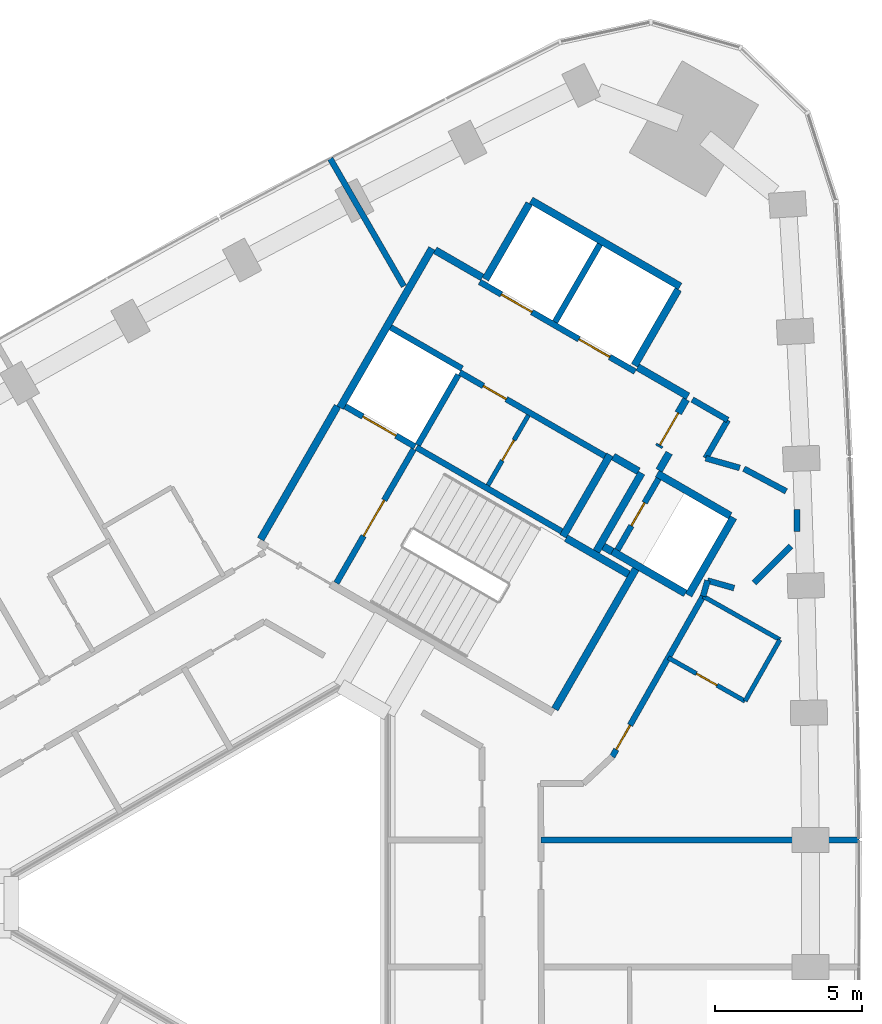
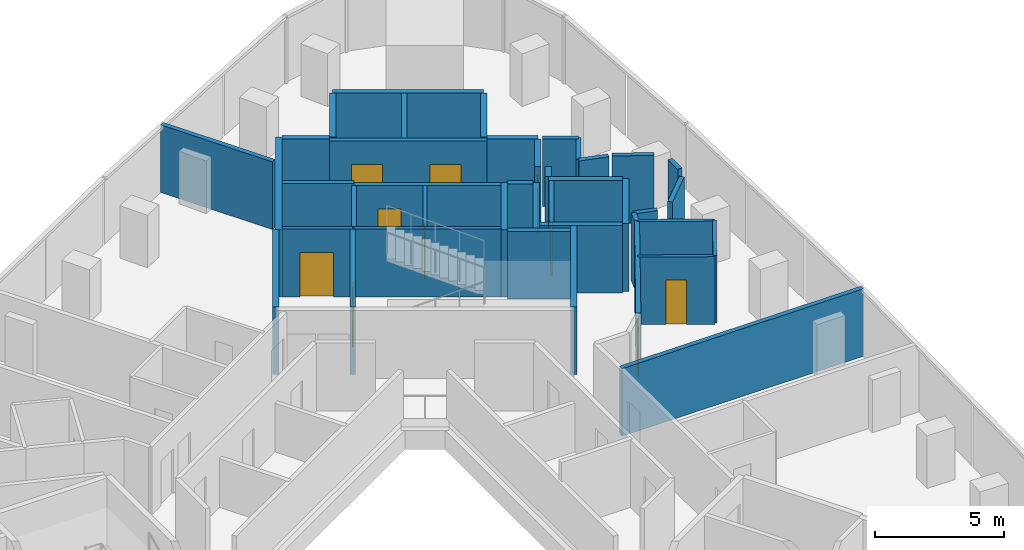
# One storey, part 11 of 13: 42 walls, 10 doors, 10 openings.
"""IFC4 building model written with IfcOpenShell, lengths in metres."""

import ifcopenshell
import ifcopenshell.guid

model = None  # the IFC model being written
_history = None  # IfcOwnerHistory: only IFC2X3 demands one
_inside = {}  # id of a spatial element -> (the spatial element, [elements in it])
_under = {}  # id of a project, library or spatial element -> (it, [spatial elements below it])
_declared = {}  # id of a project -> (the project, [libraries it declares])
_typed = {}  # id of a type object -> (the type object, [elements of that type])
_made_of = {}  # id of a material, layer set ... -> (it, [elements and type objects made of it])


def new_model(schema):
    """Start an empty IFC model of exactly this schema.

    Asked for "IFC4X3", IfcOpenShell would pick the latest addendum, in which some entities
    have other attributes; the version numbers below select the first issue.
    IFC2X3 requires an IfcOwnerHistory on every rooted entity: one is made here for all.
    """
    global model, _history
    if schema == "IFC4X3":
        model = ifcopenshell.file(schema_version=(4, 3, 0, 0))
    else:
        model = ifcopenshell.file(schema=schema)
    _inside.clear()
    _under.clear()
    _declared.clear()
    _typed.clear()
    _made_of.clear()
    _history = None
    if model.schema == "IFC2X3":
        org = make("IfcOrganization", Name="unknown")
        user = make(
            "IfcPersonAndOrganization",
            ThePerson=make("IfcPerson", FamilyName="unknown"),
            TheOrganization=org,
        )
        app = make(
            "IfcApplication",
            ApplicationDeveloper=org,
            Version="unknown",
            ApplicationFullName="unknown",
            ApplicationIdentifier="unknown",
        )
        _history = make(
            "IfcOwnerHistory",
            OwningUser=user,
            OwningApplication=app,
            ChangeAction="ADDED",
            CreationDate=0,
        )
    return model


def make(cls, **values):
    """One entity of the class cls with the attributes given. An attribute that is None is left unset."""
    return model.create_entity(
        cls, **{name: value for name, value in values.items() if value is not None}
    )


def rooted(cls, **values):
    """An entity with a GlobalId (a new one), such as an element, a storey or a relation."""
    return make(cls, GlobalId=ifcopenshell.guid.new(), OwnerHistory=_history, **values)


def si_unit(unit_type, name, prefix=None):
    """IfcSIUnit, for example si_unit("LENGTHUNIT", "METRE", prefix="MILLI")."""
    return make("IfcSIUnit", UnitType=unit_type, Prefix=prefix, Name=name)


def assignment(units):
    """IfcUnitAssignment: the units of a project."""
    return None if units is None else make("IfcUnitAssignment", Units=units)


def point(xyz):
    """IfcCartesianPoint."""
    return None if xyz is None else make("IfcCartesianPoint", Coordinates=xyz)


def direction(xyz):
    """IfcDirection."""
    return None if xyz is None else make("IfcDirection", DirectionRatios=xyz)


def frame(location, z_axis=None, x_axis=None):
    """IfcAxis2Placement3D, a coordinate frame: its origin and axes. An axis left out is left unset."""
    return make(
        "IfcAxis2Placement3D",
        Location=point(location),
        Axis=direction(z_axis),
        RefDirection=direction(x_axis),
    )


def frame_2d(location, x_axis=None):
    """IfcAxis2Placement2D, a coordinate frame in the plane: its origin and x axis."""
    return make(
        "IfcAxis2Placement2D", Location=point(location), RefDirection=direction(x_axis)
    )


def origin():
    """The frame at (0, 0, 0) with its axes left unset."""
    return frame((0.0, 0.0, 0.0))


def place(relative_to, where):
    """IfcLocalPlacement: puts the frame where relative to a parent placement (None: the world)."""
    return make(
        "IfcLocalPlacement", PlacementRelTo=relative_to, RelativePlacement=where
    )


def context(
    kind, dimensions, precision=None, world=None, true_north=None, identifier=None
):
    """IfcGeometricRepresentationContext, for example the 3D "Model" context."""
    return make(
        "IfcGeometricRepresentationContext",
        ContextIdentifier=identifier,
        ContextType=kind,
        CoordinateSpaceDimension=dimensions,
        Precision=precision,
        WorldCoordinateSystem=world,
        TrueNorth=true_north,
    )


def subcontext(parent, identifier, kind, view, scale=None):
    """IfcGeometricRepresentationSubContext, for example "Body" below "Model"."""
    return make(
        "IfcGeometricRepresentationSubContext",
        ContextIdentifier=identifier,
        ContextType=kind,
        ParentContext=parent,
        TargetScale=scale,
        TargetView=view,
    )


def project(units=None, contexts=None):
    """IfcProject with its units and contexts."""
    return rooted(
        "IfcProject",
        Name="project",
        RepresentationContexts=contexts,
        UnitsInContext=assignment(units),
    )


def spatial(cls, under=None, at=None, **own):
    """A site, building, storey or space (cls), placed at a placement, below another one or the project."""
    s = rooted(cls, ObjectPlacement=at, **own)
    if under is not None:
        _under.setdefault(under.id(), (under, []))[1].append(s)
    return s


def profile(cls, at=None, kind="AREA", **sizes):
    """A parametric profile (cls). Its sizes go by their IFC names, for example OverallWidth=200.0."""
    return make(cls, ProfileType=kind, Position=at, **sizes)


def rectangle(**sizes):
    """IfcRectangleProfileDef."""
    return profile("IfcRectangleProfileDef", **sizes)


def extrude(swept, where, along, depth):
    """IfcExtrudedAreaSolid: the profile swept, set in the frame where, extruded along a direction by depth."""
    return make(
        "IfcExtrudedAreaSolid",
        SweptArea=swept,
        Position=where,
        ExtrudedDirection=direction(along),
        Depth=depth,
    )


def shape(context_of_items, identifier, shape_type, items):
    """IfcShapeRepresentation: the items that make up one representation, for example the "Body"."""
    return make(
        "IfcShapeRepresentation",
        ContextOfItems=context_of_items,
        RepresentationIdentifier=identifier,
        RepresentationType=shape_type,
        Items=items,
    )


def material(Name=None, Category=None):
    """IfcMaterial."""
    return make("IfcMaterial", Name=Name, Category=Category)


def layer(
    of_material, thickness, ventilated=None, Name=None, Category=None, Priority=None
):
    """IfcMaterialLayer: one layer of a wall or slab, of a material (None: an air gap)."""
    return make(
        "IfcMaterialLayer",
        Material=of_material,
        LayerThickness=thickness,
        IsVentilated=ventilated,
        Name=Name,
        Category=Category,
        Priority=Priority,
    )


def layer_set(layers, Name=None):
    """IfcMaterialLayerSet."""
    return make("IfcMaterialLayerSet", MaterialLayers=layers, LayerSetName=Name)


def made_of(thing, what):
    """Note that an element or type object is made of a material, layer set ...; save() writes the relation."""
    if what is not None:
        _made_of.setdefault(what.id(), (what, []))[1].append(thing)
    return thing


def type_object(cls, material=None, **own):
    """A type object (cls), such as IfcWallType, which elements share."""
    return made_of(rooted(cls, **own), material)


def element(
    cls,
    number,
    at=None,
    inside=None,
    cuts=None,
    type_object=None,
    material=None,
    context=None,
    identifier="Body",
    shape_type=None,
    held_by="IfcProductDefinitionShape",
    body=None,
    shapes=None,
    **own,
):
    """One element of the class cls, such as IfcWall. Its Tag is "e" and its number.

    at: its placement. inside: the storey or other place that contains it. cuts: it is an
    opening in that element (IfcRelVoidsElement). A single representation is given by context,
    identifier, shape_type and body (its items); several are given by shapes. held_by: the class
    of the entity that holds the representations. save() writes the other relations.
    """
    e = rooted(cls, Tag="e%d" % number, ObjectPlacement=at, **own)
    if body is not None:
        shapes = [shape(context, identifier, shape_type, body)]
    if shapes is not None:
        e.Representation = make(held_by, Representations=shapes)
    if inside is not None:
        _inside.setdefault(inside.id(), (inside, []))[1].append(e)
    if cuts is not None:
        rooted(
            "IfcRelVoidsElement", RelatingBuildingElement=cuts, RelatedOpeningElement=e
        )
    if type_object is not None:
        _typed.setdefault(type_object.id(), (type_object, []))[1].append(e)
    return made_of(e, material)


def fill(opening, filler):
    """IfcRelFillsElement: the door or window that sits in an opening."""
    return rooted(
        "IfcRelFillsElement",
        RelatingOpeningElement=opening,
        RelatedBuildingElement=filler,
    )


def aggregate(whole, parts):
    """IfcRelAggregates: a whole, such as a stair, and the parts it consists of."""
    return rooted("IfcRelAggregates", RelatingObject=whole, RelatedObjects=parts)


def save(model, path):
    """Write the relations noted so far, then the file.

    IfcRelAggregates (storeys below a building ...), IfcRelContainedInSpatialStructure (elements
    in a storey), IfcRelDefinesByType, IfcRelAssociatesMaterial and IfcRelDeclares: one each for
    every whole, place, type object, material and project.
    """
    for whole, parts in _under.values():
        aggregate(whole, parts)
    for where, things in _inside.values():
        rooted(
            "IfcRelContainedInSpatialStructure",
            RelatedElements=things,
            RelatingStructure=where,
        )
    for kind, things in _typed.values():
        rooted("IfcRelDefinesByType", RelatedObjects=things, RelatingType=kind)
    for what, things in _made_of.values():
        rooted("IfcRelAssociatesMaterial", RelatedObjects=things, RelatingMaterial=what)
    for by, libraries in _declared.values():
        rooted("IfcRelDeclares", RelatingContext=by, RelatedDefinitions=libraries)
    model.write(path)


model = new_model("IFC4")

# Units and contexts
model_context = context("Model", 3, precision=1e-05, world=origin(), true_north=direction((0.0, 1.0)))
body_context = subcontext(model_context, "Body", "Model", "MODEL_VIEW")
ifc_project = project(units=[si_unit("LENGTHUNIT", "METRE"), si_unit("AREAUNIT", "SQUARE_METRE"), si_unit("VOLUMEUNIT", "CUBIC_METRE"), si_unit("PLANEANGLEUNIT", "RADIAN"), si_unit("MASSUNIT", "GRAM", prefix="KILO")], contexts=[model_context])

# Site, building, storey
site_placement = place(None, origin())
site = spatial("IfcSite", under=ifc_project, at=site_placement, CompositionType="ELEMENT")
building_placement = place(site_placement, origin())
building = spatial("IfcBuilding", under=site, at=building_placement, Name="Tamra Quay Hotel Tower", CompositionType="ELEMENT")
storey_placement = place(building_placement, frame((0.0, 0.0, 161.199951171875)))
storey = spatial("IfcBuildingStorey", under=building, at=storey_placement, Name="L40", CompositionType="ELEMENT", Elevation=161.199951171875)

# Wall, openings, doors
ifc_material_1 = material(Name="Concrete M70", Category="concrete")
ifc_layer_1 = layer(ifc_material_1, 0.199951171875)
ifc_layer_set_1 = layer_set([ifc_layer_1], Name="Concrete M70 core wall 200")
wall_type_1 = type_object("IfcWallType", Name="Concrete M70 core wall 200", PredefinedType="SHEAR", material=ifc_layer_set_1)
wall_1_placement = place(storey_placement, frame((13.209716796875, 18.07958984375, 0.0), z_axis=(0.0, 0.0, 1.0), x_axis=(-0.866030299012, 0.499991521122, 0.0)))
wall_1 = element("IfcWall", 1, at=wall_1_placement, inside=storey, type_object=wall_type_1, Name="CW2", PredefinedType="SHEAR", context=body_context, shape_type="SweptSolid", body=[
    extrude(rectangle(XDim=6.10009765625, YDim=0.199951171875, at=frame_2d((3.050048828125, 0.0))), origin(), (0.0, 0.0, 1.0), 3.199951171875),
])
opening_1_placement = place(wall_1_placement, frame((1.0, 0.0, 0.0)))
opening_1 = element("IfcOpeningElement", 2, at=opening_1_placement, cuts=wall_1, Name="Opening LD", PredefinedType="OPENING", context=body_context, shape_type="SweptSolid", body=[
    extrude(rectangle(XDim=1.199951171875, YDim=2.10009765625, at=frame_2d((0.60009765625, 1.050048828125))), frame((0.0, 0.10986328125, 0.0), z_axis=(0.0, -1.0, 0.0), x_axis=(1.0, 0.0, 0.0)), (0.0, 0.0, 1.0), 0.219970703125),
])
opening_2_placement = place(wall_1_placement, frame((4.05029296875, 0.0, 0.0)))
opening_2 = element("IfcOpeningElement", 3, at=opening_2_placement, cuts=wall_1, Name="Opening LD", PredefinedType="OPENING", context=body_context, shape_type="SweptSolid", body=[
    extrude(rectangle(XDim=1.199951171875, YDim=2.10009765625, at=frame_2d((0.60009765625, 1.050048828125))), frame((0.0, 0.10986328125, 0.0), z_axis=(0.0, -1.0, 0.0), x_axis=(1.0, 0.0, 0.0)), (0.0, 0.0, 1.0), 0.219970703125),
])
ifc_material_2 = material(Name="Landing door LD 1200 double door sliding")
door_type_1 = type_object("IfcDoorType", Name="Landing door LD 1200 double door sliding", OperationType="DOUBLE_DOOR_SLIDING", PredefinedType="DOOR", material=ifc_material_2)
door_1_placement = place(opening_1_placement, origin())
door_1 = element("IfcDoor", 4, at=door_1_placement, inside=storey, type_object=door_type_1, Name="LD", OperationType="DOUBLE_DOOR_SLIDING", OverallHeight=2.10009765625, OverallWidth=1.199951171875, PredefinedType="DOOR", context=body_context, shape_type="SweptSolid", body=[
    extrude(rectangle(XDim=1.199951171875, YDim=2.10009765625, at=frame_2d((0.60009765625, 1.050048828125))), frame((0.0, 0.02490234375, 0.0), z_axis=(0.0, -1.0, 0.0), x_axis=(1.0, 0.0, 0.0)), (0.0, 0.0, 1.0), 0.050048828125),
])
fill(opening_1, door_1)
door_2_placement = place(opening_2_placement, origin())
door_2 = element("IfcDoor", 5, at=door_2_placement, inside=storey, type_object=door_type_1, Name="LD", OperationType="DOUBLE_DOOR_SLIDING", OverallHeight=2.10009765625, OverallWidth=1.199951171875, PredefinedType="DOOR", context=body_context, shape_type="SweptSolid", body=[
    extrude(rectangle(XDim=1.199951171875, YDim=2.10009765625, at=frame_2d((0.60009765625, 1.050048828125))), frame((0.0, 0.02490234375, 0.0), z_axis=(0.0, -1.0, 0.0), x_axis=(1.0, 0.0, 0.0)), (0.0, 0.0, 1.0), 0.050048828125),
])
fill(opening_2, door_2)

# Wall
wall_2_placement = place(storey_placement, frame((5.774658203125, 15.501953125, 0.0), z_axis=(0.0, 0.0, 1.0), x_axis=(0.866020080793, -0.500009219579, 0.0)))
element("IfcWall", 6, at=wall_2_placement, inside=storey, type_object=wall_type_1, Name="CW2", PredefinedType="SHEAR", context=body_context, shape_type="SweptSolid", body=[
    extrude(rectangle(XDim=5.69921875, YDim=0.199951171875, at=frame_2d((2.849609375, 0.0))), origin(), (0.0, 0.0, 1.0), 3.199951171875),
])

# Wall, opening, door
wall_3_placement = place(storey_placement, frame((12.18505859375, 15.20703125, 0.0), z_axis=(0.0, 0.0, 1.0), x_axis=(-0.866020080793, 0.500009219579, 0.0)))
wall_3 = element("IfcWall", 7, at=wall_3_placement, inside=storey, type_object=wall_type_1, Name="CW2", PredefinedType="SHEAR", context=body_context, shape_type="SweptSolid", body=[
    extrude(rectangle(XDim=5.69921875, YDim=0.199951171875, at=frame_2d((2.849609375, 0.0))), origin(), (0.0, 0.0, 1.0), 3.199951171875),
])
opening_3_placement = place(wall_3_placement, frame((3.8740234375, 0.0, 0.0)))
opening_3 = element("IfcOpeningElement", 8, at=opening_3_placement, cuts=wall_3, Name="Opening D2", PredefinedType="OPENING", context=body_context, shape_type="SweptSolid", body=[
    extrude(rectangle(XDim=0.89990234375, YDim=2.10009765625, at=frame_2d((0.449951171875, 1.050048828125))), frame((0.0, 0.10986328125, 0.0), z_axis=(0.0, -1.0, 0.0), x_axis=(1.0, 0.0, 0.0)), (0.0, 0.0, 1.0), 0.219970703125),
])
ifc_material_3 = material(Name="Core door D2 900x2100 RH")
door_type_2 = type_object("IfcDoorType", Name="Core door D2 900x2100 RH", OperationType="NOTDEFINED", PredefinedType="DOOR", material=ifc_material_3)
door_3_placement = place(opening_3_placement, origin())
door_3 = element("IfcDoor", 9, at=door_3_placement, inside=storey, type_object=door_type_2, Name="D2", OperationType="SINGLE_SWING_RIGHT", OverallHeight=2.10009765625, OverallWidth=0.89990234375, PredefinedType="DOOR", context=body_context, shape_type="SweptSolid", body=[
    extrude(rectangle(XDim=0.89990234375, YDim=2.10009765625, at=frame_2d((0.449951171875, 1.050048828125))), frame((0.0, 0.02490234375, 0.0), z_axis=(0.0, -1.0, 0.0), x_axis=(1.0, 0.0, 0.0)), (0.0, 0.0, 1.0), 0.050048828125),
])
fill(opening_3, door_3)

wall_4_placement = place(storey_placement, frame((3.056640625, 10.89453125, 0.0), z_axis=(0.0, 0.0, 1.0), x_axis=(0.499989418164, 0.866031513124, 0.0)))
wall_4 = element("IfcWall", 10, at=wall_4_placement, inside=storey, type_object=wall_type_1, Name="CW2", PredefinedType="SHEAR", context=body_context, shape_type="SweptSolid", body=[
    extrude(rectangle(XDim=5.2509765625, YDim=0.199951171875, at=frame_2d((2.62548828125, 0.0))), origin(), (0.0, 0.0, 1.0), 3.199951171875),
])
opening_4_placement = place(wall_4_placement, frame((1.84912109375, 0.0, 0.0)))
opening_4 = element("IfcOpeningElement", 11, at=opening_4_placement, cuts=wall_4, Name="Opening FD2", PredefinedType="OPENING", context=body_context, shape_type="SweptSolid", body=[
    extrude(rectangle(XDim=1.39990234375, YDim=2.10009765625, at=frame_2d((0.699951171875, 1.050048828125))), frame((0.0, 0.10986328125, 0.0), z_axis=(0.0, -1.0, 0.0), x_axis=(1.0, 0.0, 0.0)), (0.0, 0.0, 1.0), 0.219970703125),
])
ifc_material_4 = material(Name="Core door FD2 1400x2100 LH")
door_type_3 = type_object("IfcDoorType", Name="Core door FD2 1400x2100 LH", OperationType="NOTDEFINED", PredefinedType="DOOR", material=ifc_material_4)
door_4_placement = place(opening_4_placement, origin())
door_4 = element("IfcDoor", 12, at=door_4_placement, inside=storey, type_object=door_type_3, Name="FD2", OperationType="SINGLE_SWING_LEFT", OverallHeight=2.10009765625, OverallWidth=1.39990234375, PredefinedType="DOOR", context=body_context, shape_type="SweptSolid", body=[
    extrude(rectangle(XDim=1.39990234375, YDim=2.10009765625, at=frame_2d((0.699951171875, 1.050048828125))), frame((0.0, 0.02490234375, 0.0), z_axis=(0.0, -1.0, 0.0), x_axis=(1.0, 0.0, 0.0)), (0.0, 0.0, 1.0), 0.050048828125),
])
fill(opening_4, door_4)

# Wall
wall_5_placement = place(storey_placement, frame((10.48876953125, 19.76708984375, 0.0), z_axis=(0.0, 0.0, 1.0), x_axis=(0.499946628782, 0.866056215479, 0.0)))
element("IfcWall", 13, at=wall_5_placement, inside=storey, type_object=wall_type_1, Name="CW2", PredefinedType="SHEAR", context=body_context, shape_type="SweptSolid", body=[
    extrude(rectangle(XDim=3.048095703125, YDim=0.199951171875, at=frame_2d((1.52392578125, 0.0))), origin(), (0.0, 0.0, 1.0), 3.199951171875),
])

# Wall, opening, door
wall_6_placement = place(storey_placement, frame((14.0078125, 14.442138671875, 0.0), z_axis=(0.0, 0.0, 1.0), x_axis=(-0.499986818241, -0.866033014143, 0.0)))
wall_6 = element("IfcWall", 14, at=wall_6_placement, inside=storey, type_object=wall_type_1, Name="CW2", PredefinedType="SHEAR", context=body_context, shape_type="SweptSolid", body=[
    extrude(rectangle(XDim=2.7978515625, YDim=0.199951171875, at=frame_2d((1.39892578125, 0.0))), origin(), (0.0, 0.0, 1.0), 3.199951171875),
])
opening_5_placement = place(wall_6_placement, frame((0.948974609375, 0.0, 0.0)))
opening_5 = element("IfcOpeningElement", 15, at=opening_5_placement, cuts=wall_6, Name="Opening D1", PredefinedType="OPENING", context=body_context, shape_type="SweptSolid", body=[
    extrude(rectangle(XDim=0.89990234375, YDim=2.10009765625, at=frame_2d((0.449951171875, 1.050048828125))), frame((0.0, 0.10986328125, 0.0), z_axis=(0.0, -1.0, 0.0), x_axis=(1.0, 0.0, 0.0)), (0.0, 0.0, 1.0), 0.219970703125),
])
ifc_material_5 = material(Name="Core door D1 900x2100 LH")
door_type_4 = type_object("IfcDoorType", Name="Core door D1 900x2100 LH", OperationType="NOTDEFINED", PredefinedType="DOOR", material=ifc_material_5)
door_5_placement = place(opening_5_placement, origin())
door_5 = element("IfcDoor", 16, at=door_5_placement, inside=storey, type_object=door_type_4, Name="D1", OperationType="SINGLE_SWING_LEFT", OverallHeight=2.10009765625, OverallWidth=0.89990234375, PredefinedType="DOOR", context=body_context, shape_type="SweptSolid", body=[
    extrude(rectangle(XDim=0.89990234375, YDim=2.10009765625, at=frame_2d((0.449951171875, 1.050048828125))), frame((0.0, 0.02490234375, 0.0), z_axis=(0.0, -1.0, 0.0), x_axis=(1.0, 0.0, 0.0)), (0.0, 0.0, 1.0), 0.050048828125),
])
fill(opening_5, door_5)

# Wall
wall_7_placement = place(storey_placement, frame((7.199462890625, 17.969970703125, 0.0), z_axis=(0.0, 0.0, 1.0), x_axis=(-0.499968400327, -0.866043647095, 0.0)))
element("IfcWall", 17, at=wall_7_placement, inside=storey, type_object=wall_type_1, Name="CW2", PredefinedType="SHEAR", context=body_context, shape_type="SweptSolid", body=[
    extrude(rectangle(XDim=2.749755859375, YDim=0.199951171875, at=frame_2d((1.375, 0.0))), origin(), (0.0, 0.0, 1.0), 3.199951171875),
])

# Wall, opening, door
wall_8_placement = place(storey_placement, frame((5.72509765625, 15.530517578125, 0.0), z_axis=(0.0, 0.0, 1.0), x_axis=(-0.866037306777, 0.499979382845, 0.0)))
wall_8 = element("IfcWall", 18, at=wall_8_placement, inside=storey, type_object=wall_type_1, Name="CW2", PredefinedType="SHEAR", context=body_context, shape_type="SweptSolid", body=[
    extrude(rectangle(XDim=2.74169921875, YDim=0.199951171875, at=frame_2d((1.370849609375, 0.0))), origin(), (0.0, 0.0, 1.0), 3.199951171875),
])
opening_6_placement = place(wall_8_placement, frame((0.742919921875, 0.0, 0.0)))
opening_6 = element("IfcOpeningElement", 19, at=opening_6_placement, cuts=wall_8, Name="Opening LD", PredefinedType="OPENING", context=body_context, shape_type="SweptSolid", body=[
    extrude(rectangle(XDim=1.300048828125, YDim=2.10009765625, at=frame_2d((0.64990234375, 1.050048828125))), frame((0.0, 0.10986328125, 0.0), z_axis=(0.0, -1.0, 0.0), x_axis=(1.0, 0.0, 0.0)), (0.0, 0.0, 1.0), 0.219970703125),
])
ifc_material_6 = material(Name="Landing door LD 1300 sliding to left")
door_type_5 = type_object("IfcDoorType", Name="Landing door LD 1300 sliding to left", OperationType="NOTDEFINED", PredefinedType="DOOR", material=ifc_material_6)
door_6_placement = place(opening_6_placement, origin())
door_6 = element("IfcDoor", 20, at=door_6_placement, inside=storey, type_object=door_type_5, Name="LD", OperationType="SLIDING_TO_LEFT", OverallHeight=2.10009765625, OverallWidth=1.300048828125, PredefinedType="DOOR", context=body_context, shape_type="SweptSolid", body=[
    extrude(rectangle(XDim=1.300048828125, YDim=2.10009765625, at=frame_2d((0.64990234375, 1.050048828125))), frame((0.0, 0.02490234375, 0.0), z_axis=(0.0, -1.0, 0.0), x_axis=(1.0, 0.0, 0.0)), (0.0, 0.0, 1.0), 0.050048828125),
])
fill(opening_6, door_6)

# Walls
wall_9_placement = place(storey_placement, frame((4.900634765625, 19.5859375, 0.0), z_axis=(0.0, 0.0, 1.0), x_axis=(0.866022890907, -0.500004352405, 0.0)))
element("IfcWall", 21, at=wall_9_placement, inside=storey, type_object=wall_type_1, Name="CW2", PredefinedType="SHEAR", context=body_context, shape_type="SweptSolid", body=[
    extrude(rectangle(XDim=2.798828125, YDim=0.199951171875, at=frame_2d((1.3994140625, 0.0))), origin(), (0.0, 0.0, 1.0), 3.199951171875),
])
ifc_layer_2 = layer(ifc_material_1, 0.25)
ifc_layer_set_2 = layer_set([ifc_layer_2], Name="Concrete M70 core wall 250")
wall_type_2 = type_object("IfcWallType", Name="Concrete M70 core wall 250", PredefinedType="SHEAR", material=ifc_layer_set_2)
wall_10_placement = place(storey_placement, frame((3.178955078125, 16.856201171875, 0.0), z_axis=(0.0, 0.0, 1.0), x_axis=(0.500004234368, 0.866022959057, 0.0)))
element("IfcWall", 22, at=wall_10_placement, inside=storey, type_object=wall_type_2, Name="CW1", PredefinedType="SHEAR", context=body_context, shape_type="SweptSolid", body=[
    extrude(rectangle(XDim=6.25, YDim=0.25, at=frame_2d((3.125, 0.0))), origin(), (0.0, 0.0, 1.0), 3.199951171875),
])
wall_11_placement = place(storey_placement, frame((9.672607421875, 23.9033203125, 0.0), z_axis=(0.0, 0.0, 1.0), x_axis=(0.86603616409, -0.499981362141, 0.0)))
element("IfcWall", 23, at=wall_11_placement, inside=storey, type_object=wall_type_2, Name="CW1", PredefinedType="SHEAR", context=body_context, shape_type="SweptSolid", body=[
    extrude(rectangle(XDim=5.849853515625, YDim=0.25, at=frame_2d((2.9248046875, 0.0))), origin(), (0.0, 0.0, 1.0), 3.199951171875),
])
wall_12_placement = place(storey_placement, frame((0.47998046875, 12.38134765625, 0.0), z_axis=(0.0, 0.0, 1.0), x_axis=(0.49999885962, 0.866026062182, 0.0)))
element("IfcWall", 24, at=wall_12_placement, inside=storey, type_object=wall_type_2, Name="CW1", PredefinedType="SHEAR", context=body_context, shape_type="SweptSolid", body=[
    extrude(rectangle(XDim=5.224609375, YDim=0.25, at=frame_2d((2.6123046875, 0.0))), origin(), (0.0, 0.0, 1.0), 3.199951171875),
])
wall_13_placement = place(storey_placement, frame((13.237548828125, 11.3779296875, 0.0), z_axis=(0.0, 0.0, 1.0), x_axis=(-0.500008851346, -0.866020293397, 0.0)))
element("IfcWall", 25, at=wall_13_placement, inside=storey, type_object=wall_type_2, Name="CW1", PredefinedType="SHEAR", context=body_context, shape_type="SweptSolid", body=[
    extrude(rectangle(XDim=5.509765625, YDim=0.25, at=frame_2d((2.7548828125, 0.0))), origin(), (0.0, 0.0, 1.0), 3.199951171875),
])
wall_14_placement = place(storey_placement, frame((12.356689453125, 15.25244140625, 0.0), z_axis=(0.0, 0.0, 1.0), x_axis=(-0.500028443584, -0.866008981251, 0.0)))
element("IfcWall", 26, at=wall_14_placement, inside=storey, type_object=wall_type_2, Name="CW1", PredefinedType="SHEAR", context=body_context, shape_type="SweptSolid", body=[
    extrude(rectangle(XDim=3.199951171875, YDim=0.25, at=frame_2d((1.60009765625, 0.0))), origin(), (0.0, 0.0, 1.0), 3.199951171875),
])
for number, where, z_axis, x_axis, name in (
    (27, (8.12255859375, 21.21875, 0.0), (0.0, 0.0, 1.0), (0.499987686533, 0.866032512851, 0.0), "CW1"),
    (28, (14.67626953125, 20.869873046875, 0.0), (0.0, 0.0, 1.0), (-0.499987686533, -0.866032512851, 0.0), "CW1"),
):
    element("IfcWall", number, at=place(storey_placement, frame(where, z_axis=z_axis, x_axis=x_axis)), inside=storey, type_object=wall_type_2, Name=name, PredefinedType="SHEAR", context=body_context, shape_type="SweptSolid", body=[
        extrude(rectangle(XDim=2.974609375, YDim=0.25, at=frame_2d((1.4873046875, 0.0))), origin(), (0.0, 0.0, 1.0), 3.199951171875),
    ])
wall_15_placement = place(storey_placement, frame((16.552001953125, 13.118896484375, 0.0), z_axis=(0.0, 0.0, 1.0), x_axis=(-0.499978833458, -0.866037623948, 0.0)))
element("IfcWall", 29, at=wall_15_placement, inside=storey, type_object=wall_type_2, Name="CW1", PredefinedType="SHEAR", context=body_context, shape_type="SweptSolid", body=[
    extrude(rectangle(XDim=3.050048828125, YDim=0.25, at=frame_2d((1.52490234375, 0.0))), origin(), (0.0, 0.0, 1.0), 3.199951171875),
])
wall_16_placement = place(storey_placement, frame((14.91845703125, 10.540283203125, 0.0), z_axis=(0.0, 0.0, 1.0), x_axis=(-0.866063538972, 0.499933942099, 0.0)))
element("IfcWall", 30, at=wall_16_placement, inside=storey, type_object=wall_type_2, Name="CW1", PredefinedType="SHEAR", context=body_context, shape_type="SweptSolid", body=[
    extrude(rectangle(XDim=2.86474609375, YDim=0.25, at=frame_2d((1.432373046875, 0.0))), origin(), (0.0, 0.0, 1.0), 3.199951171875),
])
wall_17_placement = place(storey_placement, frame((13.962646484375, 14.61376953125, 0.0), z_axis=(0.0, 0.0, 1.0), x_axis=(0.866042235819, -0.499970844928, 0.0)))
element("IfcWall", 31, at=wall_17_placement, inside=storey, type_object=wall_type_2, Name="CW1", PredefinedType="SHEAR", context=body_context, shape_type="SweptSolid", body=[
    extrude(rectangle(XDim=2.864501953125, YDim=0.25, at=frame_2d((1.43212890625, 0.0))), origin(), (0.0, 0.0, 1.0), 3.199951171875),
])
wall_18_placement = place(storey_placement, frame((11.887939453125, 11.960693359375, 0.0), z_axis=(0.0, 0.0, 1.0), x_axis=(0.500003324108, 0.866023484601, 0.0)))
element("IfcWall", 32, at=wall_18_placement, inside=storey, type_object=wall_type_2, Name="CW1", PredefinedType="SHEAR", context=body_context, shape_type="SweptSolid", body=[
    extrude(rectangle(XDim=3.0849609375, YDim=0.25, at=frame_2d((1.54248046875, 0.0))), origin(), (0.0, 0.0, 1.0), 3.199951171875),
])
wall_19_placement = place(storey_placement, frame((10.865234375, 12.41845703125, 0.0), z_axis=(0.0, 0.0, 1.0), x_axis=(0.866026229868, -0.499998569178, 0.0)))
element("IfcWall", 33, at=wall_19_placement, inside=storey, type_object=wall_type_2, Name="CW1", PredefinedType="SHEAR", context=body_context, shape_type="SweptSolid", body=[
    extrude(rectangle(XDim=2.44921875, YDim=0.25, at=frame_2d((1.224609375, 0.0))), origin(), (0.0, 0.0, 1.0), 3.199951171875),
])
wall_20_placement = place(storey_placement, frame((13.29736328125, 18.23095703125, 0.0), z_axis=(0.0, 0.0, 1.0), x_axis=(0.866043531843, -0.499968599967, 0.0)))
element("IfcWall", 34, at=wall_20_placement, inside=storey, type_object=wall_type_2, Name="CW1", PredefinedType="SHEAR", context=body_context, shape_type="SweptSolid", body=[
    extrude(rectangle(XDim=1.974853515625, YDim=0.25, at=frame_2d((0.9873046875, 0.0))), origin(), (0.0, 0.0, 1.0), 3.199951171875),
])
wall_21_placement = place(storey_placement, frame((6.41259765625, 22.2060546875, 0.0), z_axis=(0.0, 0.0, 1.0), x_axis=(0.866016279763, -0.500015802937, 0.0)))
element("IfcWall", 35, at=wall_21_placement, inside=storey, type_object=wall_type_2, Name="CW1", PredefinedType="SHEAR", context=body_context, shape_type="SweptSolid", body=[
    extrude(rectangle(XDim=1.84912109375, YDim=0.25, at=frame_2d((0.924560546875, 0.0))), origin(), (0.0, 0.0, 1.0), 3.199951171875),
])

# Wall, opening, door
wall_22_placement = place(storey_placement, frame((14.94482421875, 17.13525390625, 0.0), z_axis=(0.0, 0.0, 1.0), x_axis=(-0.499983108224, -0.866035156036, 0.0)))
wall_22 = element("IfcWall", 36, at=wall_22_placement, inside=storey, type_object=wall_type_2, Name="CW1", PredefinedType="SHEAR", context=body_context, shape_type="SweptSolid", body=[
    extrude(rectangle(XDim=1.86474609375, YDim=0.25, at=frame_2d((0.932373046875, 0.0))), origin(), (0.0, 0.0, 1.0), 3.199951171875),
])
opening_7_placement = place(wall_22_placement, frame((0.53466796875, 0.0, 0.0)))
opening_7 = element("IfcOpeningElement", 37, at=opening_7_placement, cuts=wall_22, Name="Opening FD3", PredefinedType="OPENING", context=body_context, shape_type="SweptSolid", body=[
    extrude(rectangle(XDim=1.25, YDim=2.10009765625, at=frame_2d((0.625, 1.050048828125))), frame((0.0, 0.135009765625, 0.0), z_axis=(0.0, -1.0, 0.0), x_axis=(1.0, 0.0, 0.0)), (0.0, 0.0, 1.0), 0.27001953125),
])
ifc_material_7 = material(Name="Core door FD3 1250x2100 LH")
door_type_6 = type_object("IfcDoorType", Name="Core door FD3 1250x2100 LH", OperationType="NOTDEFINED", PredefinedType="DOOR", material=ifc_material_7)
door_7_placement = place(opening_7_placement, origin())
door_7 = element("IfcDoor", 38, at=door_7_placement, inside=storey, type_object=door_type_6, Name="FD3", OperationType="SINGLE_SWING_LEFT", OverallHeight=2.10009765625, OverallWidth=1.25, PredefinedType="DOOR", context=body_context, shape_type="SweptSolid", body=[
    extrude(rectangle(XDim=1.25, YDim=2.10009765625, at=frame_2d((0.625, 1.050048828125))), frame((0.0, 0.02490234375, 0.0), z_axis=(0.0, -1.0, 0.0), x_axis=(1.0, 0.0, 0.0)), (0.0, 0.0, 1.0), 0.050048828125),
])
fill(opening_7, door_7)

# Walls
wall_23_placement = place(storey_placement, frame((13.322021484375, 14.695068359375, 0.0), z_axis=(0.0, 0.0, 1.0), x_axis=(-0.866017078145, 0.500014420154, 0.0)))
element("IfcWall", 39, at=wall_23_placement, inside=storey, type_object=wall_type_2, Name="CW1", PredefinedType="SHEAR", context=body_context, shape_type="SweptSolid", body=[
    extrude(rectangle(XDim=0.9892578125, YDim=0.25, at=frame_2d((0.49462890625, 0.0))), origin(), (0.0, 0.0, 1.0), 3.199951171875),
])
wall_24_placement = place(storey_placement, frame((14.36767578125, 15.3154296875, 0.0), z_axis=(0.0, 0.0, 1.0), x_axis=(-0.499897359611, -0.866084655132, 0.0)))
element("IfcWall", 40, at=wall_24_placement, inside=storey, type_object=wall_type_2, Name="CW1", PredefinedType="SHEAR", context=body_context, shape_type="SweptSolid", body=[
    extrude(rectangle(XDim=0.684814453125, YDim=0.25, at=frame_2d((0.34228515625, 0.0))), origin(), (0.0, 0.0, 1.0), 3.199951171875),
])
wall_25_placement = place(storey_placement, frame((12.4326171875, 11.9638671875, 0.0), z_axis=(0.0, 0.0, 1.0), x_axis=(-0.866055875208, 0.499947218231, 0.0)))
element("IfcWall", 41, at=wall_25_placement, inside=storey, type_object=wall_type_2, Name="CW1", PredefinedType="SHEAR", context=body_context, shape_type="SweptSolid", body=[
    extrude(rectangle(XDim=0.3447265625, YDim=0.25, at=frame_2d((0.17236328125, 0.0))), origin(), (0.0, 0.0, 1.0), 3.199951171875),
])

# Wall, opening, door
ifc_material_8 = material(Name="Blockwork", Category="masonry")
ifc_layer_3 = layer(ifc_material_8, 0.14990234375)
ifc_layer_set_3 = layer_set([ifc_layer_3], Name="Core partition block 150")
wall_type_3 = type_object("IfcWallType", Name="Core partition block 150", PredefinedType="PARTITIONING", material=ifc_layer_set_3)
wall_26_placement = place(storey_placement, frame((8.20654296875, 14.214111328125, 0.0), z_axis=(0.0, 0.0, 1.0), x_axis=(0.499922376475, 0.866070215109, 0.0)))
wall_26 = element("IfcWall", 42, at=wall_26_placement, inside=storey, type_object=wall_type_3, Name="CP1", PredefinedType="PARTITIONING", context=body_context, shape_type="SweptSolid", body=[
    extrude(rectangle(XDim=2.74853515625, YDim=0.14990234375, at=frame_2d((1.374267578125, 0.0))), origin(), (0.0, 0.0, 1.0), 3.199951171875),
])
opening_8_placement = place(wall_26_placement, frame((0.97412109375, 0.0, 0.0)))
opening_8 = element("IfcOpeningElement", 43, at=opening_8_placement, cuts=wall_26, Name="Opening D3", PredefinedType="OPENING", context=body_context, shape_type="SweptSolid", body=[
    extrude(rectangle(XDim=0.800048828125, YDim=2.10009765625, at=frame_2d((0.39990234375, 1.050048828125))), frame((0.0, 0.0849609375, 0.0), z_axis=(0.0, -1.0, 0.0), x_axis=(1.0, 0.0, 0.0)), (0.0, 0.0, 1.0), 0.169921875),
])
ifc_material_9 = material(Name="Core door D3 800x2100 RH")
door_type_7 = type_object("IfcDoorType", Name="Core door D3 800x2100 RH", OperationType="NOTDEFINED", PredefinedType="DOOR", material=ifc_material_9)
door_8_placement = place(opening_8_placement, origin())
door_8 = element("IfcDoor", 44, at=door_8_placement, inside=storey, type_object=door_type_7, Name="D3", OperationType="SINGLE_SWING_RIGHT", OverallHeight=2.10009765625, OverallWidth=0.800048828125, PredefinedType="DOOR", context=body_context, shape_type="SweptSolid", body=[
    extrude(rectangle(XDim=0.800048828125, YDim=2.10009765625, at=frame_2d((0.39990234375, 1.050048828125))), frame((0.0, 0.02490234375, 0.0), z_axis=(0.0, -1.0, 0.0), x_axis=(1.0, 0.0, 0.0)), (0.0, 0.0, 1.0), 0.050048828125),
])
fill(opening_8, door_8)

ifc_material_10 = material(Name="Partition corridor wall")
ifc_layer_4 = layer(ifc_material_10, 0.199951171875)
ifc_layer_set_4 = layer_set([ifc_layer_4], Name="Partition corridor wall")
wall_type_4 = type_object("IfcWallType", Name="Partition corridor wall", PredefinedType="PARTITIONING", material=ifc_layer_set_4)
wall_27_placement = place(storey_placement, frame((12.43310546875, 4.991943359375, 0.0), z_axis=(0.0, 0.0, 1.0), x_axis=(0.492618265192, 0.870245508348, 0.0)))
wall_27 = element("IfcWall", 45, at=wall_27_placement, inside=storey, type_object=wall_type_4, Name="W-C", PredefinedType="PARTITIONING", context=body_context, shape_type="SweptSolid", body=[
    extrude(rectangle(XDim=6.265380859375, YDim=0.199951171875, at=frame_2d((3.1328125, 0.0))), origin(), (0.0, 0.0, 1.0), 3.199951171875),
])
opening_9_placement = place(wall_27_placement, frame((0.277099609375, 0.0, 0.0)))
opening_9 = element("IfcOpeningElement", 46, at=opening_9_placement, cuts=wall_27, Name="Opening L40-D004", PredefinedType="OPENING", context=body_context, shape_type="SweptSolid", body=[
    extrude(rectangle(XDim=0.949951171875, YDim=2.10009765625, at=frame_2d((0.47509765625, 1.050048828125))), frame((0.0, 0.10986328125, 0.0), z_axis=(0.0, -1.0, 0.0), x_axis=(1.0, 0.0, 0.0)), (0.0, 0.0, 1.0), 0.219970703125),
])
ifc_material_11 = material(Name="Door guest room 950x2100")
door_type_8 = type_object("IfcDoorType", Name="Door guest room 950x2100", OperationType="NOTDEFINED", PredefinedType="DOOR", material=ifc_material_11)
door_9_placement = place(opening_9_placement, origin())
door_9 = element("IfcDoor", 47, at=door_9_placement, inside=storey, type_object=door_type_8, Name="L40-D004", OperationType="SINGLE_SWING_LEFT", OverallHeight=2.10009765625, OverallWidth=0.949951171875, PredefinedType="DOOR", context=body_context, shape_type="SweptSolid", body=[
    extrude(rectangle(XDim=0.949951171875, YDim=2.10009765625, at=frame_2d((0.47509765625, 1.050048828125))), frame((0.0, 0.02490234375, 0.0), z_axis=(0.0, -1.0, 0.0), x_axis=(1.0, 0.0, 0.0)), (0.0, 0.0, 1.0), 0.050048828125),
])
fill(opening_9, door_9)

# Walls
wall_28_placement = place(storey_placement, frame((15.155517578125, 17.130126953125, 0.0), z_axis=(0.0, 0.0, 1.0), x_axis=(0.865755062894, -0.500467952093, 0.0)))
element("IfcWall", 48, at=wall_28_placement, inside=storey, type_object=wall_type_4, Name="W-C", PredefinedType="PARTITIONING", context=body_context, shape_type="SweptSolid", body=[
    extrude(rectangle(XDim=1.388916015625, YDim=0.199951171875, at=frame_2d((0.6943359375, 0.0))), origin(), (0.0, 0.0, 1.0), 3.199951171875),
])
wall_29_placement = place(storey_placement, frame((15.52001953125, 10.444091796875, 0.0), z_axis=(0.0, 0.0, 1.0), x_axis=(0.273965995931, 0.961739378976, 0.0)))
element("IfcWall", 49, at=wall_29_placement, inside=storey, type_object=wall_type_4, Name="W-C", PredefinedType="PARTITIONING", context=body_context, shape_type="SweptSolid", body=[
    extrude(rectangle(XDim=0.55517578125, YDim=0.199951171875, at=frame_2d((0.277587890625, 0.0))), origin(), (0.0, 0.0, 1.0), 3.199951171875),
])
wall_30_placement = place(storey_placement, frame((15.60888671875, 15.135986328125, 0.0), z_axis=(0.0, 0.0, 1.0), x_axis=(0.499501622561, 0.866312950993, 0.0)))
element("IfcWall", 50, at=wall_30_placement, inside=storey, type_object=wall_type_4, Name="W-C", PredefinedType="PARTITIONING", context=body_context, shape_type="SweptSolid", body=[
    extrude(rectangle(XDim=1.49951171875, YDim=0.199951171875, at=frame_2d((0.749755859375, 0.0))), origin(), (0.0, 0.0, 1.0), 3.199951171875),
])
wall_31_placement = place(storey_placement, frame((15.60888671875, 15.135986328125, 0.0), z_axis=(0.0, 0.0, 1.0), x_axis=(0.961662011825, -0.274237442763, 0.0)))
element("IfcWall", 51, at=wall_31_placement, inside=storey, type_object=wall_type_4, Name="W-C", PredefinedType="PARTITIONING", context=body_context, shape_type="SweptSolid", body=[
    extrude(rectangle(XDim=1.199951171875, YDim=0.199951171875, at=frame_2d((0.60009765625, 0.0))), origin(), (0.0, 0.0, 1.0), 3.199951171875),
])
wall_32_placement = place(storey_placement, frame((15.672119140625, 10.97802734375, 0.0), z_axis=(0.0, 0.0, 1.0), x_axis=(0.961612403256, -0.274411344344, 0.0)))
element("IfcWall", 52, at=wall_32_placement, inside=storey, type_object=wall_type_4, Name="W-C", PredefinedType="PARTITIONING", context=body_context, shape_type="SweptSolid", body=[
    extrude(rectangle(XDim=0.936767578125, YDim=0.199951171875, at=frame_2d((0.46826171875, 0.0))), origin(), (0.0, 0.0, 1.0), 3.199951171875),
])
wall_33_placement = place(storey_placement, frame((16.908935546875, 14.779052734375, 0.0), z_axis=(0.0, 0.0, 1.0), x_axis=(0.882045575366, -0.471164093472, 0.0)))
element("IfcWall", 53, at=wall_33_placement, inside=storey, type_object=wall_type_4, Name="W-C", PredefinedType="PARTITIONING", context=body_context, shape_type="SweptSolid", body=[
    extrude(rectangle(XDim=1.628173828125, YDim=0.199951171875, at=frame_2d((0.81396484375, 0.0))), origin(), (0.0, 0.0, 1.0), 3.199951171875),
])
wall_34_placement = place(storey_placement, frame((17.260009765625, 10.89892578125, 0.0), z_axis=(0.0, 0.0, 1.0), x_axis=(0.707106781187, 0.707106781187, 0.0)))
element("IfcWall", 54, at=wall_34_placement, inside=storey, type_object=wall_type_4, Name="W-C", PredefinedType="PARTITIONING", context=body_context, shape_type="SweptSolid", body=[
    extrude(rectangle(XDim=1.767822265625, YDim=0.199951171875, at=frame_2d((0.8837890625, 0.0))), origin(), (0.0, 0.0, 1.0), 3.199951171875),
])
wall_35_placement = place(storey_placement, frame((18.715087890625, 12.64404296875, 0.0), z_axis=(0.0, 0.0, 1.0), x_axis=(0.0, 1.0, 0.0)))
element("IfcWall", 55, at=wall_35_placement, inside=storey, type_object=wall_type_4, Name="W-C", PredefinedType="PARTITIONING", context=body_context, shape_type="SweptSolid", body=[
    extrude(rectangle(XDim=0.75, YDim=0.199951171875, at=frame_2d((0.375, 0.0))), origin(), (0.0, 0.0, 1.0), 3.199951171875),
])

# Wall, opening, door
ifc_material_12 = material(Name="Partition en-suite wall")
ifc_layer_5 = layer(ifc_material_12, 0.14990234375)
ifc_layer_set_5 = layer_set([ifc_layer_5], Name="Partition en-suite wall")
wall_type_5 = type_object("IfcWallType", Name="Partition en-suite wall", PredefinedType="PARTITIONING", material=ifc_layer_set_5)
wall_36_placement = place(storey_placement, frame((14.337890625, 8.35498046875, 0.0), z_axis=(0.0, 0.0, 1.0), x_axis=(0.870291117047, -0.49253768545, 0.0)))
wall_36 = element("IfcWall", 56, at=wall_36_placement, inside=storey, type_object=wall_type_5, Name="W-E", PredefinedType="PARTITIONING", context=body_context, shape_type="SweptSolid", body=[
    extrude(rectangle(XDim=2.996826171875, YDim=0.14990234375, at=frame_2d((1.49853515625, 0.0))), origin(), (0.0, 0.0, 1.0), 3.199951171875),
])
opening_10_placement = place(wall_36_placement, frame((1.099609375, 0.0, 0.0)))
opening_10 = element("IfcOpeningElement", 57, at=opening_10_placement, cuts=wall_36, Name="Opening L40-D005", PredefinedType="OPENING", context=body_context, shape_type="SweptSolid", body=[
    extrude(rectangle(XDim=0.800048828125, YDim=2.10009765625, at=frame_2d((0.39990234375, 1.050048828125))), frame((0.0, 0.0849609375, 0.0), z_axis=(0.0, -1.0, 0.0), x_axis=(1.0, 0.0, 0.0)), (0.0, 0.0, 1.0), 0.169921875),
])
ifc_material_13 = material(Name="Door en-suite 800x2100")
door_type_9 = type_object("IfcDoorType", Name="Door en-suite 800x2100", OperationType="NOTDEFINED", PredefinedType="DOOR", material=ifc_material_13)
door_10_placement = place(opening_10_placement, origin())
door_10 = element("IfcDoor", 58, at=door_10_placement, inside=storey, type_object=door_type_9, Name="L40-D005", OperationType="SINGLE_SWING_LEFT", OverallHeight=2.10009765625, OverallWidth=0.800048828125, PredefinedType="DOOR", context=body_context, shape_type="SweptSolid", body=[
    extrude(rectangle(XDim=0.800048828125, YDim=2.10009765625, at=frame_2d((0.39990234375, 1.050048828125))), frame((0.0, 0.02490234375, 0.0), z_axis=(0.0, -1.0, 0.0), x_axis=(1.0, 0.0, 0.0)), (0.0, 0.0, 1.0), 0.050048828125),
])
fill(opening_10, door_10)

# Walls
wall_37_placement = place(storey_placement, frame((15.52197265625, 10.44189453125, 0.0), z_axis=(0.0, 0.0, 1.0), x_axis=(0.870427634909, -0.492296386729, 0.0)))
element("IfcWall", 59, at=wall_37_placement, inside=storey, type_object=wall_type_5, Name="W-E", PredefinedType="PARTITIONING", context=body_context, shape_type="SweptSolid", body=[
    extrude(rectangle(XDim=2.993896484375, YDim=0.14990234375, at=frame_2d((1.4970703125, 0.0))), origin(), (0.0, 0.0, 1.0), 3.199951171875),
])
wall_38_placement = place(storey_placement, frame((16.949951171875, 6.881103515625, 0.0), z_axis=(0.0, 0.0, 1.0), x_axis=(0.49287361781, 0.870100911887, 0.0)))
element("IfcWall", 60, at=wall_38_placement, inside=storey, type_object=wall_type_5, Name="W-E", PredefinedType="PARTITIONING", context=body_context, shape_type="SweptSolid", body=[
    extrude(rectangle(XDim=2.39404296875, YDim=0.14990234375, at=frame_2d((1.197021484375, 0.0))), origin(), (0.0, 0.0, 1.0), 3.199951171875),
])
ifc_material_14 = material(Name="Partition party wall")
ifc_layer_6 = layer(ifc_material_14, 0.199951171875)
ifc_layer_set_6 = layer_set([ifc_layer_6], Name="Partition party wall")
wall_type_6 = type_object("IfcWallType", Name="Partition party wall", PredefinedType="PARTITIONING", material=ifc_layer_set_6)
wall_39_placement = place(storey_placement, frame((2.845458984375, 25.321044921875, 0.0), z_axis=(0.0, 0.0, 1.0), x_axis=(0.499751996305, -0.866168541445, 0.0)))
element("IfcWall", 61, at=wall_39_placement, inside=storey, type_object=wall_type_6, Name="W-P", PredefinedType="PARTITIONING", context=body_context, shape_type="SweptSolid", body=[
    extrude(rectangle(XDim=5.0078125, YDim=0.199951171875, at=frame_2d((2.50390625, 0.0))), origin(), (0.0, 0.0, 1.0), 3.199951171875),
])
wall_40_placement = place(storey_placement, frame((10.007080078125, 2.160888671875, 0.0), z_axis=(0.0, 0.0, 1.0), x_axis=(1.0, 0.0, 0.0)))
element("IfcWall", 62, at=wall_40_placement, inside=storey, type_object=wall_type_6, Name="W-P", PredefinedType="PARTITIONING", context=body_context, shape_type="SweptSolid", body=[
    extrude(rectangle(XDim=10.8076171875, YDim=0.199951171875, at=frame_2d((5.40380859375, 0.0))), origin(), (0.0, 0.0, 1.0), 3.199951171875),
])

save(model, "model.ifc")
